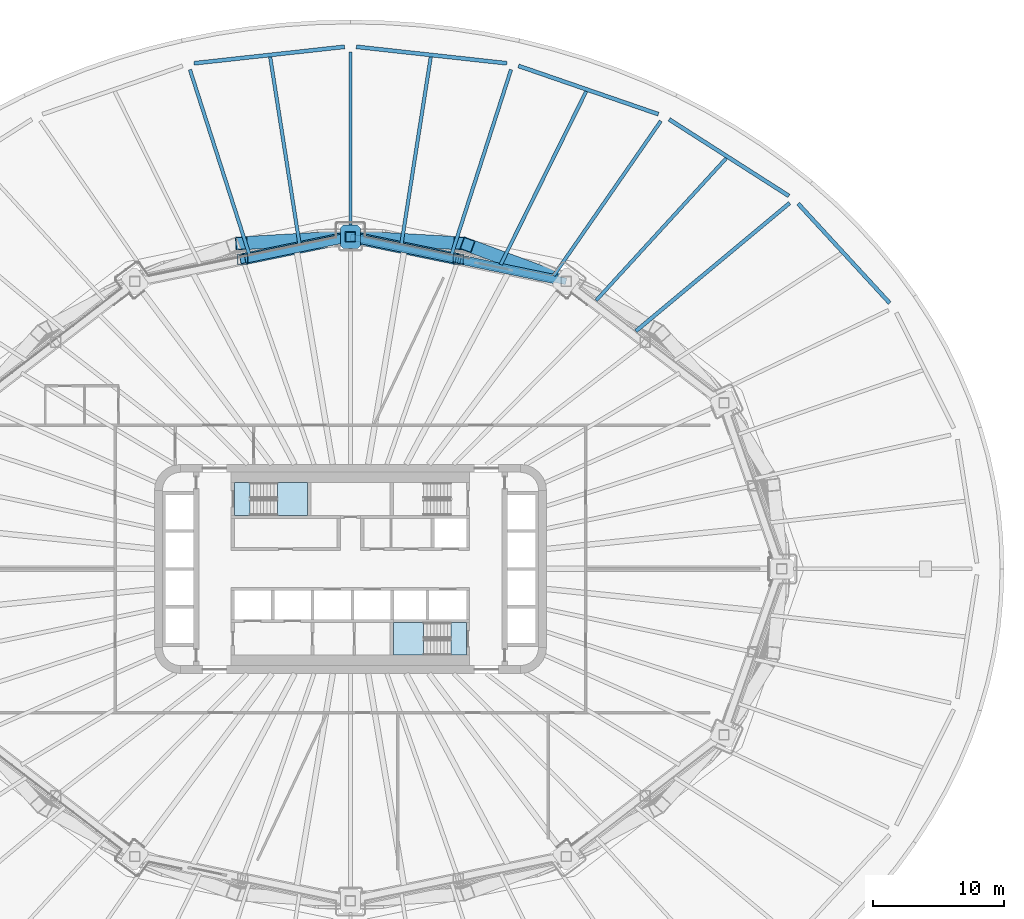
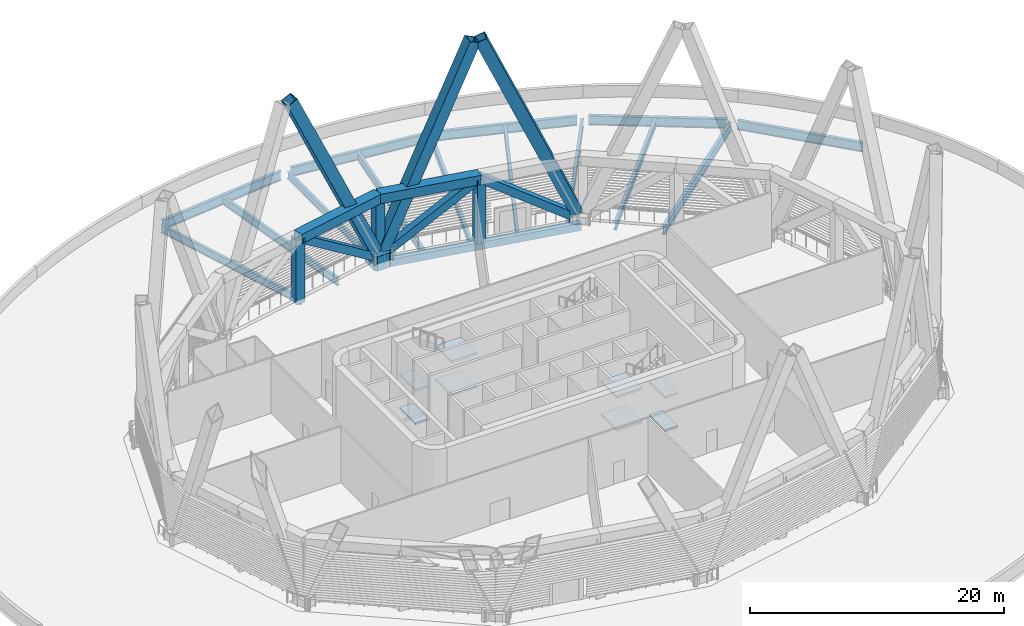
# One storey, part 5 of 27: 15 beams, 12 members, 8 slabs, 2 elements without a shape of their own.
"""IFC4 building model written with IfcOpenShell, lengths in metres."""

from ifc_helpers import new_model, si_unit, direction, frame, origin, origin_2d, place, context, subcontext, project, spatial, polyline, hollow_rectangle, i_section, outline, extrude, material, layer, layer_set, material_profile, profile_set, type_object, element, aggregate, save


model = new_model("IFC4")

# Units and contexts
model_context = context("Model", 3, precision=1e-05, world=origin(), true_north=direction((0.0, 1.0)))
body_context = subcontext(model_context, "Body", "Model", "MODEL_VIEW")
ifc_project = project(units=[si_unit("LENGTHUNIT", "METRE"), si_unit("AREAUNIT", "SQUARE_METRE"), si_unit("VOLUMEUNIT", "CUBIC_METRE"), si_unit("PLANEANGLEUNIT", "RADIAN"), si_unit("MASSUNIT", "GRAM", prefix="KILO")], contexts=[model_context])

# Site, building, storey
site_placement = place(None, origin())
site = spatial("IfcSite", under=ifc_project, at=site_placement, CompositionType="ELEMENT")
building_placement = place(site_placement, origin())
building = spatial("IfcBuilding", under=site, at=building_placement, Name="Sahrelin Media Tower", CompositionType="ELEMENT")
storey_placement = place(building_placement, frame((0.0, 0.0, 44.0)))
storey = spatial("IfcBuildingStorey", under=building, at=storey_placement, Name="L06", CompositionType="ELEMENT", Elevation=44.0)

# Members
ifc_material_1 = material(Name="Steel S460", Category="steel")
ifc_material_profile_1 = material_profile(ifc_material_1, hollow_rectangle(XDim=1.0, YDim=1.0, WallThickness=0.06005859375, at=origin_2d()), Name="Diagrid diagonal DG1")
ifc_profile_set_1 = profile_set([ifc_material_profile_1], Name="Steel S460")
member_type_1 = type_object("IfcMemberType", Name="Diagrid diagonal DG1", PredefinedType="BRACE", material=ifc_profile_set_1)
member_1_placement = place(storey_placement, frame((16.21142578125, 22.10400390625, 0.699951171875), z_axis=(-0.377355512755, 0.139825735326, 0.915451572031), x_axis=(-0.347455151629, -0.937696602109, 0.0)))
element("IfcMember", 1, at=member_1_placement, inside=storey, type_object=member_type_1, Name="Diagrid diagonal D00-04", PredefinedType="BRACE", context=body_context, shape_type="SweptSolid", body=[
    extrude(hollow_rectangle(XDim=1.0, YDim=1.0, WallThickness=0.06005859375, at=origin_2d()), origin(), (0.0, 0.0, 1.0), 19.2255859375),
])
for number, where, z_axis, x_axis, name in (
    (2, (0.3193359375, 25.381591796875, 0.699951171875), (0.414936366893, -0.023984250592, 0.909534258372), (0.057705917702, 0.998333625129, 0.0), "Diagrid diagonal D00-05"),
    (3, (-0.3193359375, 25.381591796875, 0.699951171875), (-0.414936366893, -0.023984250592, 0.909534258372), (0.057705917702, -0.998333625129, 0.0), "Diagrid diagonal D00-06"),
):
    element("IfcMember", number, at=place(storey_placement, frame(where, z_axis=z_axis, x_axis=x_axis)), inside=storey, type_object=member_type_1, Name=name, PredefinedType="BRACE", context=body_context, shape_type="SweptSolid", body=[
        extrude(hollow_rectangle(XDim=1.0, YDim=1.0, WallThickness=0.06005859375, at=origin_2d()), origin(), (0.0, 0.0, 1.0), 19.3505859375),
    ])
ifc_material_profile_2 = material_profile(ifc_material_1, outline(polyline([(0.699951171875, -0.75), (0.89990234375, -0.550048828125), (0.89990234375, 0.550048828125), (0.699951171875, 0.75), (-0.699951171875, 0.75), (-0.89990234375, 0.550048828125), (-0.89990234375, -0.550048828125), (-0.699951171875, -0.75), (0.699951171875, -0.75)])), Name="Diagrid node block 1800")
ifc_profile_set_2 = profile_set([ifc_material_profile_2], Name="Steel S460")
member_type_2 = type_object("IfcMemberType", Name="Diagrid node block 1800", PredefinedType="USERDEFINED", material=ifc_profile_set_2)
member_2_placement = place(storey_placement, frame((0.0, 25.39990234375, -0.699951171875), z_axis=(0.0, 0.0, 1.0), x_axis=(0.0, 1.0, 0.0)))
element("IfcMember", 4, at=member_2_placement, inside=storey, type_object=member_type_2, Name="Diagrid node N00-03", ObjectType="NODE", PredefinedType="USERDEFINED", context=body_context, shape_type="SweptSolid", body=[
    extrude(outline(polyline([(0.699951171875, -0.75), (0.89990234375, -0.550048828125), (0.89990234375, 0.550048828125), (0.699951171875, 0.75), (-0.699951171875, 0.75), (-0.89990234375, 0.550048828125), (-0.89990234375, -0.550048828125), (-0.699951171875, -0.75), (0.699951171875, -0.75)])), origin(), (0.0, 0.0, 1.0), 1.39990234375),
])

# Beams
ifc_material_profile_3 = material_profile(ifc_material_1, hollow_rectangle(XDim=0.5, YDim=0.699951171875, WallThickness=0.034912109375, at=origin_2d()), Name="Diagrid ring beam RB2")
ifc_profile_set_3 = profile_set([ifc_material_profile_3], Name="Steel S460")
beam_type_1 = type_object("IfcBeamType", Name="Diagrid ring beam RB2", PredefinedType="BEAM", material=ifc_profile_set_3)
beam_1_placement = place(storey_placement, frame((16.5, 21.9970703125, -0.699951171875), z_axis=(-0.979389305257, 0.201981654484, 0.0), x_axis=(-0.201981654484, -0.979389305257, 0.0)))
element("IfcBeam", 5, at=beam_1_placement, inside=storey, type_object=beam_type_1, Name="Diagrid ring beam RB00-02", PredefinedType="BEAM", context=body_context, shape_type="SweptSolid", body=[
    extrude(hollow_rectangle(XDim=0.5, YDim=0.699951171875, WallThickness=0.034912109375, at=origin_2d()), origin(), (0.0, 0.0, 1.0), 16.84716796875),
])
ifc_material_2 = material(Name="Steel S355", Category="steel")
ifc_material_profile_4 = material_profile(ifc_material_2, i_section(OverallWidth=0.30322265625, OverallDepth=0.903076171875, WebThickness=0.01513671875, FlangeThickness=0.020263671875, FilletRadius=0.01904296875, at=origin_2d()), Name="UB 914x305x201")
ifc_profile_set_4 = profile_set([ifc_material_profile_4], Name="Steel S355")
beam_type_2 = type_object("IfcBeamType", Name="Podium edge girder PE11", PredefinedType="BEAM", material=ifc_profile_set_4)
beam_2_placement = place(storey_placement, frame((41.25048828125, 20.34619140625, -0.801513671875), z_axis=(-0.677370529771, 0.735642008995, 0.0), x_axis=(-0.735642008995, -0.677370529771, 0.0)))
element("IfcBeam", 6, at=beam_2_placement, inside=storey, type_object=beam_type_2, Name="Podium edge girder L06-03", PredefinedType="BEAM", context=body_context, shape_type="SweptSolid", body=[
    extrude(i_section(OverallWidth=0.30322265625, OverallDepth=0.903076171875, WebThickness=0.01513671875, FlangeThickness=0.020263671875, FilletRadius=0.01904296875, at=origin_2d()), origin(), (0.0, 0.0, 1.0), 10.340087890625),
])
beam_3_placement = place(storey_placement, frame((33.54345703125, 28.53857421875, -0.801513671875), z_axis=(-0.842485743715, 0.538718638657, 0.0), x_axis=(-0.538718638657, -0.842485743715, 0.0)))
element("IfcBeam", 7, at=beam_3_placement, inside=storey, type_object=beam_type_2, Name="Podium edge girder L06-04", PredefinedType="BEAM", context=body_context, shape_type="SweptSolid", body=[
    extrude(i_section(OverallWidth=0.30322265625, OverallDepth=0.903076171875, WebThickness=0.01513671875, FlangeThickness=0.020263671875, FilletRadius=0.01904296875, at=origin_2d()), origin(), (0.0, 0.0, 1.0), 10.87744140625),
])
beam_4_placement = place(storey_placement, frame((23.55810546875, 34.79345703125, -0.801513671875), z_axis=(-0.94527240249, 0.32628221694, 0.0), x_axis=(-0.32628221694, -0.94527240249, 0.0)))
element("IfcBeam", 8, at=beam_4_placement, inside=storey, type_object=beam_type_2, Name="Podium edge girder L06-05", PredefinedType="BEAM", context=body_context, shape_type="SweptSolid", body=[
    extrude(i_section(OverallWidth=0.30322265625, OverallDepth=0.903076171875, WebThickness=0.01513671875, FlangeThickness=0.020263671875, FilletRadius=0.01904296875, at=origin_2d()), origin(), (0.0, 0.0, 1.0), 11.329345703125),
])
for number, where, z_axis, x_axis, name in (
    (9, (11.966796875, 38.68701171875, -0.801513671875), (-0.994034160473, 0.109069188193, 0.0), (-0.109069188193, -0.994034160473, 0.0), "Podium edge girder L06-06"),
    (10, (-0.449951171875, 39.95068359375, -0.801513671875), (-0.994034160473, -0.109069188193, 0.0), (0.109069188193, -0.994034160473, 0.0), "Podium edge girder L06-07"),
):
    element("IfcBeam", number, at=place(storey_placement, frame(where, z_axis=z_axis, x_axis=x_axis)), inside=storey, type_object=beam_type_2, Name=name, PredefinedType="BEAM", context=body_context, shape_type="SweptSolid", body=[
        extrude(i_section(OverallWidth=0.30322265625, OverallDepth=0.903076171875, WebThickness=0.01513671875, FlangeThickness=0.020263671875, FilletRadius=0.01904296875, at=origin_2d()), origin(), (0.0, 0.0, 1.0), 11.5859375),
    ])
ifc_material_profile_5 = material_profile(ifc_material_2, i_section(OverallWidth=0.291748046875, OverallDepth=0.8349609375, WebThickness=0.013916015625, FlangeThickness=0.018798828125, FilletRadius=0.017822265625, at=origin_2d()), Name="UB 838x292x176")
ifc_profile_set_5 = profile_set([ifc_material_profile_5], Name="Steel S355")
beam_type_3 = type_object("IfcBeamType", Name="Radial primary beam PB10", PredefinedType="BEAM", material=ifc_profile_set_5)
beam_5_placement = place(storey_placement, frame((21.84130859375, 18.201171875, -0.767578125), z_axis=(0.768227819125, 0.64017655215, 0.0), x_axis=(-0.64017655215, 0.768227819125, 0.0)))
element("IfcBeam", 11, at=beam_5_placement, inside=storey, type_object=beam_type_3, Name="Radial beam L06-04", PredefinedType="BEAM", context=body_context, shape_type="SweptSolid", body=[
    extrude(i_section(OverallWidth=0.291748046875, OverallDepth=0.8349609375, WebThickness=0.013916015625, FlangeThickness=0.018798828125, FilletRadius=0.017822265625, at=origin_2d()), origin(), (0.0, 0.0, 1.0), 15.30029296875),
])
ifc_material_profile_6 = material_profile(ifc_material_2, i_section(OverallWidth=0.2529296875, OverallDepth=0.677978515625, WebThickness=0.01171875, FlangeThickness=0.01611328125, FilletRadius=0.01513671875, at=origin_2d()), Name="UB 686x254x125")
ifc_profile_set_6 = profile_set([ifc_material_profile_6], Name="Steel S355")
beam_type_4 = type_object("IfcBeamType", Name="Radial primary beam PB8", PredefinedType="BEAM", material=ifc_profile_set_6)
beam_6_placement = place(storey_placement, frame((0.0, 26.300048828125, -0.68896484375), z_axis=(0.0, 1.0, 0.0), x_axis=(-1.0, 0.0, 0.0)))
element("IfcBeam", 12, at=beam_6_placement, inside=storey, type_object=beam_type_4, Name="Radial beam L06-07", PredefinedType="BEAM", context=body_context, shape_type="SweptSolid", body=[
    extrude(i_section(OverallWidth=0.2529296875, OverallDepth=0.677978515625, WebThickness=0.01171875, FlangeThickness=0.01611328125, FilletRadius=0.01513671875, at=origin_2d()), origin(), (0.0, 0.0, 1.0), 13.25),
])
ifc_material_profile_7 = material_profile(ifc_material_2, i_section(OverallWidth=0.26513671875, OverallDepth=0.75390625, WebThickness=0.0126953125, FlangeThickness=0.017578125, FilletRadius=0.0166015625, at=origin_2d()), Name="UB 762x267x147")
ifc_profile_set_7 = profile_set([ifc_material_profile_7], Name="Steel S355")
beam_type_5 = type_object("IfcBeamType", Name="Radial primary beam PB9", PredefinedType="BEAM", material=ifc_profile_set_7)
beam_7_placement = place(storey_placement, frame((15.55224609375, 22.44775390625, -0.72705078125), z_axis=(0.569495914452, 0.821994162645, 0.0), x_axis=(-0.821994162645, 0.569495914452, 0.0)))
element("IfcBeam", 13, at=beam_7_placement, inside=storey, type_object=beam_type_5, Name="Radial beam L06-05", PredefinedType="BEAM", context=body_context, shape_type="SweptSolid", body=[
    extrude(i_section(OverallWidth=0.26513671875, OverallDepth=0.75390625, WebThickness=0.0126953125, FlangeThickness=0.017578125, FilletRadius=0.0166015625, at=origin_2d()), origin(), (0.0, 0.0, 1.0), 14.383544921875),
])
for number, where, z_axis, x_axis, name in (
    (14, (7.736083984375, 24.059814453125, -0.72705078125), (0.306117121869, 0.951993859066, 0.0), (-0.951993859066, 0.306117121869, 0.0), "Radial beam L06-06"),
    (15, (-7.736083984375, 24.059814453125, -0.72705078125), (-0.306117121869, 0.951993859066, 0.0), (-0.951993859066, -0.306117121869, 0.0), "Radial beam L06-08"),
):
    element("IfcBeam", number, at=place(storey_placement, frame(where, z_axis=z_axis, x_axis=x_axis)), inside=storey, type_object=beam_type_5, Name=name, PredefinedType="BEAM", context=body_context, shape_type="SweptSolid", body=[
        extrude(i_section(OverallWidth=0.26513671875, OverallDepth=0.75390625, WebThickness=0.0126953125, FlangeThickness=0.017578125, FilletRadius=0.0166015625, at=origin_2d()), origin(), (0.0, 0.0, 1.0), 14.862060546875),
    ])
ifc_material_profile_8 = material_profile(ifc_material_2, i_section(OverallWidth=0.26513671875, OverallDepth=0.75390625, WebThickness=0.0126953125, FlangeThickness=0.017578125, FilletRadius=0.0166015625, at=origin_2d()), Name="UB 762x267x147")
ifc_profile_set_8 = profile_set([ifc_material_profile_8], Name="Steel S355")
beam_type_6 = type_object("IfcBeamType", Name="Radial secondary beam SB9", PredefinedType="BEAM", material=ifc_profile_set_8)
beam_8_placement = place(storey_placement, frame((18.796142578125, 20.545166015625, -0.72705078125), z_axis=(0.675008284326, 0.737810149084, 0.0), x_axis=(-0.737810149084, 0.675008284326, 0.0)))
element("IfcBeam", 16, at=beam_8_placement, inside=storey, type_object=beam_type_6, Name="Secondary beam L06-04", PredefinedType="BEAM", context=body_context, shape_type="SweptSolid", body=[
    extrude(i_section(OverallWidth=0.26513671875, OverallDepth=0.75390625, WebThickness=0.0126953125, FlangeThickness=0.017578125, FilletRadius=0.0166015625, at=origin_2d()), origin(), (0.0, 0.0, 1.0), 14.7451171875),
])
beam_9_placement = place(storey_placement, frame((11.492919921875, 23.284912109375, -0.72705078125), z_axis=(0.442589481615, 0.896724344915, 0.0), x_axis=(-0.896724344915, 0.442589481615, 0.0)))
element("IfcBeam", 17, at=beam_9_placement, inside=storey, type_object=beam_type_6, Name="Secondary beam L06-05", PredefinedType="BEAM", context=body_context, shape_type="SweptSolid", body=[
    extrude(i_section(OverallWidth=0.26513671875, OverallDepth=0.75390625, WebThickness=0.0126953125, FlangeThickness=0.017578125, FilletRadius=0.0166015625, at=origin_2d()), origin(), (0.0, 0.0, 1.0), 14.78125),
])
for number, where, z_axis, x_axis, name in (
    (18, (3.897216796875, 24.8515625, -0.72705078125), (0.154917815207, 0.987927360959, 0.0), (-0.987927360959, 0.154917815207, 0.0), "Secondary beam L06-06"),
    (19, (-3.897216796875, 24.8515625, -0.72705078125), (-0.154917815207, 0.987927360959, 0.0), (-0.987927360959, -0.154917815207, 0.0), "Secondary beam L06-07"),
):
    element("IfcBeam", number, at=place(storey_placement, frame(where, z_axis=z_axis, x_axis=x_axis)), inside=storey, type_object=beam_type_6, Name=name, PredefinedType="BEAM", context=body_context, shape_type="SweptSolid", body=[
        extrude(i_section(OverallWidth=0.26513671875, OverallDepth=0.75390625, WebThickness=0.0126953125, FlangeThickness=0.017578125, FilletRadius=0.0166015625, at=origin_2d()), origin(), (0.0, 0.0, 1.0), 14.4970703125),
    ])

# Members
ifc_material_profile_9 = material_profile(ifc_material_1, hollow_rectangle(XDim=0.89990234375, YDim=0.89990234375, WallThickness=0.050048828125, at=origin_2d()), Name="Transfer truss chord TC")
ifc_profile_set_9 = profile_set([ifc_material_profile_9], Name="Steel S460")
member_type_3 = type_object("IfcMemberType", Name="Transfer truss chord TC", PredefinedType="CHORD", material=ifc_profile_set_9)
for number, where, z_axis, x_axis, name in (
    (20, (8.25, 23.698486328125, 5.800048828125), (-0.979389305257, 0.201981654484, 0.0), (-0.201981654484, -0.979389305257, 0.0), "Transfer truss member BT00-02-T2"),
    (21, (0.0, 25.39990234375, 5.800048828125), (-0.979389305257, -0.201981654484, 0.0), (0.201981654484, -0.979389305257, 0.0), "Transfer truss member BT00-03-T1"),
):
    element("IfcMember", number, at=place(storey_placement, frame(where, z_axis=z_axis, x_axis=x_axis)), inside=storey, type_object=member_type_3, Name=name, PredefinedType="CHORD", context=body_context, shape_type="SweptSolid", body=[
        extrude(hollow_rectangle(XDim=0.89990234375, YDim=0.89990234375, WallThickness=0.050048828125, at=origin_2d()), origin(), (0.0, 0.0, 1.0), 8.423583984375),
    ])
ifc_material_profile_10 = material_profile(ifc_material_1, hollow_rectangle(XDim=0.699951171875, YDim=0.699951171875, WallThickness=0.0400390625, at=origin_2d()), Name="Transfer truss diagonal TD")
ifc_profile_set_10 = profile_set([ifc_material_profile_10], Name="Steel S460")
member_type_4 = type_object("IfcMemberType", Name="Transfer truss diagonal TD", PredefinedType="BRACE", material=ifc_profile_set_10)
member_3_placement = place(storey_placement, frame((15.68798828125, 22.16455078125, 0.57080078125), z_axis=(-0.806660315519, 0.166357472671, 0.567119323118), x_axis=(-0.201979448038, -0.979389760295, 0.0)))
element("IfcMember", 22, at=member_3_placement, inside=storey, type_object=member_type_4, Name="Transfer truss member BT00-02-X1", PredefinedType="BRACE", context=body_context, shape_type="SweptSolid", body=[
    extrude(hollow_rectangle(XDim=0.699951171875, YDim=0.699951171875, WallThickness=0.0400390625, at=origin_2d()), origin(), (0.0, 0.0, 1.0), 9.220703125),
])
for number, where, z_axis, x_axis, name in (
    (23, (0.75, 25.245361328125, 0.52734375), (0.80666503054, -0.166374662549, 0.567107573716), (0.20199833468, 0.979385865115, 0.0), "Transfer truss member BT00-02-X2"),
    (24, (-0.75, 25.245361328125, 0.52734375), (-0.80666503054, -0.166374662549, 0.567107573716), (0.20199833468, -0.979385865115, 0.0), "Transfer truss member BT00-03-X1"),
):
    element("IfcMember", number, at=place(storey_placement, frame(where, z_axis=z_axis, x_axis=x_axis)), inside=storey, type_object=member_type_4, Name=name, PredefinedType="BRACE", context=body_context, shape_type="SweptSolid", body=[
        extrude(hollow_rectangle(XDim=0.699951171875, YDim=0.699951171875, WallThickness=0.0400390625, at=origin_2d()), origin(), (0.0, 0.0, 1.0), 9.297607421875),
    ])
ifc_material_profile_11 = material_profile(ifc_material_1, hollow_rectangle(XDim=0.800048828125, YDim=0.800048828125, WallThickness=0.044921875, at=origin_2d()), Name="Transfer truss post TP")
ifc_profile_set_11 = profile_set([ifc_material_profile_11], Name="Steel S460")
member_type_5 = type_object("IfcMemberType", Name="Transfer truss post TP", PredefinedType="POST", material=ifc_profile_set_11)
member_4_placement = place(storey_placement, frame((8.25, 23.698486328125, -0.3701171875), z_axis=(0.0, 0.0, 1.0), x_axis=(1.0, 0.0, 0.0)))
element("IfcMember", 25, at=member_4_placement, inside=storey, type_object=member_type_5, Name="Transfer truss member BT00-02-P1", PredefinedType="POST", context=body_context, shape_type="SweptSolid", body=[
    extrude(hollow_rectangle(XDim=0.800048828125, YDim=0.800048828125, WallThickness=0.044921875, at=origin_2d()), origin(), (0.0, 0.0, 1.0), 6.170166015625),
])
member_5_placement = place(storey_placement, frame((0.0, 25.39990234375, 0.699951171875), z_axis=(0.0, 0.0, 1.0), x_axis=(1.0, 0.0, 0.0)))
element("IfcMember", 26, at=member_5_placement, inside=storey, type_object=member_type_5, Name="Transfer truss member BT00-03-P0", PredefinedType="POST", context=body_context, shape_type="SweptSolid", body=[
    extrude(hollow_rectangle(XDim=0.800048828125, YDim=0.800048828125, WallThickness=0.044921875, at=origin_2d()), origin(), (0.0, 0.0, 1.0), 5.10009765625),
])
member_6_placement = place(storey_placement, frame((-8.25, 23.698486328125, -0.3701171875), z_axis=(0.0, 0.0, 1.0), x_axis=(1.0, 0.0, 0.0)))
element("IfcMember", 27, at=member_6_placement, inside=storey, type_object=member_type_5, Name="Transfer truss member BT00-03-P1", PredefinedType="POST", context=body_context, shape_type="SweptSolid", body=[
    extrude(hollow_rectangle(XDim=0.800048828125, YDim=0.800048828125, WallThickness=0.044921875, at=origin_2d()), origin(), (0.0, 0.0, 1.0), 6.170166015625),
])

# Stair, slabs
ifc_material_3 = material(Name="Concrete C40/50", Category="concrete")
stair_type = type_object("IfcStairType", Name="Exit stair 1200", PredefinedType="HALF_TURN_STAIR", material=ifc_material_3)
placement_1 = place(storey_placement, origin())
stair_1 = element("IfcStair", 28, at=placement_1, inside=storey, type_object=stair_type, Name="L06 Exit stair ST1", PredefinedType="HALF_TURN_STAIR")
ifc_layer = layer(ifc_material_3, 0.199951171875)
ifc_layer_set = layer_set([ifc_layer], Name="Stair landing 200")
slab_type = type_object("IfcSlabType", Name="Stair landing 200", PredefinedType="LANDING", material=ifc_layer_set)
placement_2 = place(storey_placement, frame((0.0, 0.0, 1.39990234375)))
slab_1 = element("IfcSlab", 29, at=placement_2, type_object=slab_type, Name="ST1 landing 1", PredefinedType="LANDING", context=body_context, shape_type="SweptSolid", body=[
    extrude(outline(polyline([(-5.594970703125, 4.10009765625), (-3.27490234375, 4.10009765625), (-3.27490234375, 6.60009765625), (-5.594970703125, 6.60009765625), (-5.594970703125, 4.10009765625)])), origin(), (0.0, 0.0, 1.0), 0.2001953125),
])
placement_3 = place(storey_placement, frame((0.0, 0.0, 3.0)))
slab_2 = element("IfcSlab", 30, at=placement_3, type_object=slab_type, Name="ST1 landing 2", PredefinedType="LANDING", context=body_context, shape_type="SweptSolid", body=[
    extrude(outline(polyline([(-8.875, 4.10009765625), (-7.675048828125, 4.10009765625), (-7.675048828125, 6.60009765625), (-8.875, 6.60009765625), (-8.875, 4.10009765625)])), origin(), (0.0, 0.0, 1.0), 0.199951171875),
])
placement_4 = place(storey_placement, frame((0.0, 0.0, 4.60009765625)))
slab_3 = element("IfcSlab", 31, at=placement_4, type_object=slab_type, Name="ST1 landing 3", PredefinedType="LANDING", context=body_context, shape_type="SweptSolid", body=[
    extrude(outline(polyline([(-5.594970703125, 4.10009765625), (-3.27490234375, 4.10009765625), (-3.27490234375, 6.60009765625), (-5.594970703125, 6.60009765625), (-5.594970703125, 4.10009765625)])), origin(), (0.0, 0.0, 1.0), 0.199951171875),
])
placement_5 = place(storey_placement, frame((0.0, 0.0, -0.199951171875)))
slab_4 = element("IfcSlab", 32, at=placement_5, type_object=slab_type, Name="ST1 landing 4", PredefinedType="LANDING", context=body_context, shape_type="SweptSolid", body=[
    extrude(outline(polyline([(-8.875, 4.10009765625), (-7.675048828125, 4.10009765625), (-7.675048828125, 6.60009765625), (-8.875, 6.60009765625), (-8.875, 4.10009765625)])), origin(), (0.0, 0.0, 1.0), 0.199951171875),
])
aggregate(stair_1, [slab_1, slab_2, slab_3, slab_4])

stair_2 = element("IfcStair", 33, at=placement_1, inside=storey, type_object=stair_type, Name="L06 Exit stair ST2", PredefinedType="HALF_TURN_STAIR")
slab_5 = element("IfcSlab", 34, at=placement_2, type_object=slab_type, Name="ST2 landing 1", PredefinedType="LANDING", context=body_context, shape_type="SweptSolid", body=[
    extrude(outline(polyline([(5.594970703125, -4.10009765625), (3.27490234375, -4.10009765625), (3.27490234375, -6.60009765625), (5.594970703125, -6.60009765625), (5.594970703125, -4.10009765625)])), origin(), (0.0, 0.0, 1.0), 0.2001953125),
])
slab_6 = element("IfcSlab", 35, at=placement_3, type_object=slab_type, Name="ST2 landing 2", PredefinedType="LANDING", context=body_context, shape_type="SweptSolid", body=[
    extrude(outline(polyline([(8.875, -4.10009765625), (7.675048828125, -4.10009765625), (7.675048828125, -6.60009765625), (8.875, -6.60009765625), (8.875, -4.10009765625)])), origin(), (0.0, 0.0, 1.0), 0.199951171875),
])
slab_7 = element("IfcSlab", 36, at=placement_4, type_object=slab_type, Name="ST2 landing 3", PredefinedType="LANDING", context=body_context, shape_type="SweptSolid", body=[
    extrude(outline(polyline([(5.594970703125, -4.10009765625), (3.27490234375, -4.10009765625), (3.27490234375, -6.60009765625), (5.594970703125, -6.60009765625), (5.594970703125, -4.10009765625)])), origin(), (0.0, 0.0, 1.0), 0.199951171875),
])
slab_8 = element("IfcSlab", 37, at=placement_5, type_object=slab_type, Name="ST2 landing 4", PredefinedType="LANDING", context=body_context, shape_type="SweptSolid", body=[
    extrude(outline(polyline([(8.875, -4.10009765625), (7.675048828125, -4.10009765625), (7.675048828125, -6.60009765625), (8.875, -6.60009765625), (8.875, -4.10009765625)])), origin(), (0.0, 0.0, 1.0), 0.199951171875),
])
aggregate(stair_2, [slab_5, slab_6, slab_7, slab_8])

save(model, "model.ifc")
